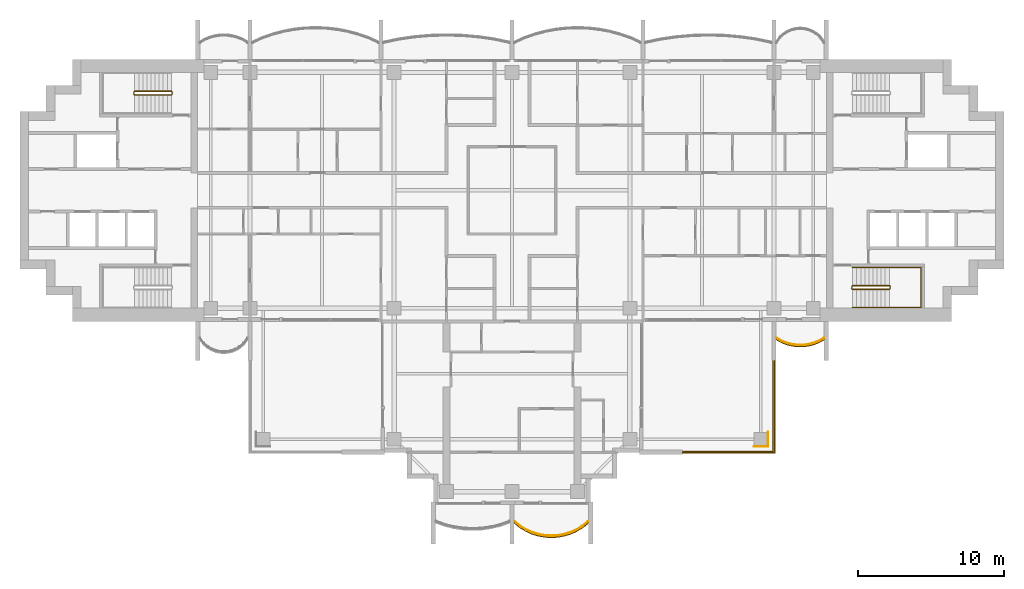
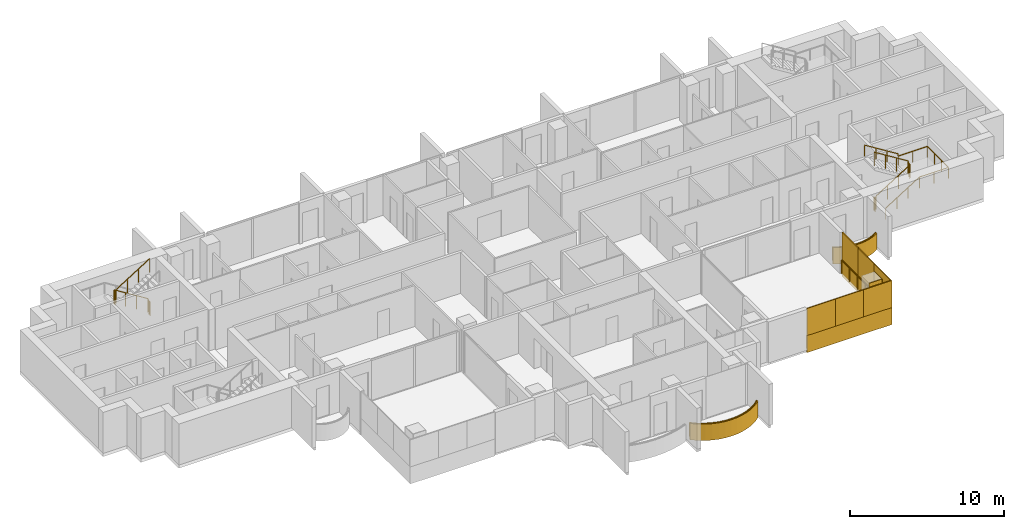
# One storey, part 15 of 17: 11 coverings, 6 railings.
"""IFC4 building model written with IfcOpenShell, lengths in metres."""

from ifc_helpers import new_model, si_unit, direction, frame, origin, origin_2d, place, context, subcontext, project, spatial, polyline, rectangle, outline, extrude, material, layer, layer_set, type_object, element, save


model = new_model("IFC4")

# Units and contexts
model_context = context("Model", 3, precision=1e-05, world=origin(), true_north=direction((0.0, 1.0)))
body_context = subcontext(model_context, "Body", "Model", "MODEL_VIEW")
ifc_project = project(units=[si_unit("LENGTHUNIT", "METRE"), si_unit("AREAUNIT", "SQUARE_METRE"), si_unit("VOLUMEUNIT", "CUBIC_METRE"), si_unit("PLANEANGLEUNIT", "RADIAN"), si_unit("MASSUNIT", "GRAM", prefix="KILO")], contexts=[model_context])

# Site, building, storey
site_placement = place(None, origin())
site = spatial("IfcSite", under=ifc_project, at=site_placement, CompositionType="ELEMENT")
building_placement = place(site_placement, origin())
building = spatial("IfcBuilding", under=site, at=building_placement, Name="Perihelion Cross Residences", CompositionType="ELEMENT")
storey_placement = place(building_placement, frame((0.0, 0.0, 184.10009765625)))
storey = spatial("IfcBuildingStorey", under=building, at=storey_placement, Name="L45", CompositionType="ELEMENT", Elevation=184.10009765625)

# Coverings
ifc_material_1 = material(Name="Bronze anodised aluminium", Category="aluminium")
ifc_layer_1 = layer(ifc_material_1, 0.070068359375)
ifc_layer_set_1 = layer_set([ifc_layer_1], Name="Balcony fascia 1300")
covering_type_1 = type_object("IfcCoveringType", Name="Balcony fascia 1300", PredefinedType="CLADDING", material=ifc_layer_set_1)
covering_1_placement = place(storey_placement, frame((0.0, 0.0, -0.2001953125)))
element("IfcCovering", 1, at=covering_1_placement, inside=storey, type_object=covering_type_1, Name="Fascia BF1 L45 south tip south bay 2", PredefinedType="CLADDING", context=body_context, shape_type="SweptSolid", body=[
    extrude(outline(polyline([(0.53515625, -23.197509765625), (0.96826171875, -23.455078125), (1.401123046875, -23.642578125), (1.833984375, -23.7705078125), (2.26708984375, -23.845458984375), (2.699951171875, -23.8701171875), (3.133056640625, -23.845458984375), (3.56591796875, -23.7705078125), (3.998779296875, -23.642578125), (4.431884765625, -23.455078125), (4.86474609375, -23.197509765625), (5.25, -22.8896484375), (5.25, -22.800048828125), (4.824951171875, -23.14013671875), (4.39990234375, -23.392578125), (3.97509765625, -23.57666015625), (3.550048828125, -23.702392578125), (3.125, -23.77587890625), (2.699951171875, -23.800048828125), (2.27490234375, -23.77587890625), (1.85009765625, -23.702392578125), (1.425048828125, -23.57666015625), (1.0, -23.392578125), (0.574951171875, -23.14013671875), (0.14990234375, -22.800048828125), (0.14990234375, -22.8896484375), (0.53515625, -23.197509765625)])), origin(), (0.0, 0.0, 1.0), 1.300048828125),
])
covering_2_placement = place(storey_placement, frame((0.0, 0.0, -0.2001953125)))
element("IfcCovering", 2, at=covering_2_placement, inside=storey, type_object=covering_type_1, Name="Fascia BF1 L45 east side south bay 2", PredefinedType="CLADDING", context=body_context, shape_type="SweptSolid", body=[
    extrude(outline(polyline([(18.486328125, -10.4716796875), (18.861572265625, -10.62158203125), (19.237060546875, -10.717529296875), (19.6123046875, -10.76416015625), (19.987548828125, -10.76416015625), (20.363037109375, -10.717529296875), (20.73828125, -10.62158203125), (21.11376953125, -10.4716796875), (21.449951171875, -10.280517578125), (21.449951171875, -10.199951171875), (21.083251953125, -10.40869140625), (20.716552734375, -10.55517578125), (20.35009765625, -10.648681640625), (19.9833984375, -10.6943359375), (19.61669921875, -10.6943359375), (19.25, -10.648681640625), (18.88330078125, -10.55517578125), (18.5166015625, -10.40869140625), (18.14990234375, -10.199951171875), (18.14990234375, -10.280517578125), (18.486328125, -10.4716796875)])), origin(), (0.0, 0.0, 1.0), 1.300048828125),
])

# Railings
ifc_material_2 = material(Name="Bronze anodised aluminium", Category="aluminium")
railing_type_1 = type_object("IfcRailingType", Name="Balcony guard 1100", PredefinedType="GUARDRAIL", material=ifc_material_2)
railing_1_placement = place(storey_placement, frame((0.175048828125, -22.739990234375, 0.0)))
element("IfcRailing", 3, at=railing_1_placement, inside=storey, type_object=railing_type_1, Name="Guard GU1 L45 south tip south bay 2 balcony", PredefinedType="GUARDRAIL", context=body_context, shape_type="SweptSolid", body=[
    extrude(rectangle(XDim=0.048095703125, YDim=0.048095703125, at=origin_2d()), frame((0.0, 0.0, 1.076171875), z_axis=(0.761778647315, -0.647837396648, 0.0), x_axis=(0.647837396648, 0.761778647315, 0.0)), (0.0, 0.0, 1.0), 0.52490234375),
    extrude(rectangle(XDim=0.048095703125, YDim=0.048095703125, at=origin_2d()), frame((0.39990234375, -0.340087890625, 1.076171875), z_axis=(0.859576918062, -0.511006381501, 0.0), x_axis=(0.511006381501, 0.859576918062, 0.0)), (0.0, 0.0, 1.0), 0.494384765625),
    extrude(rectangle(XDim=0.048095703125, YDim=0.048095703125, at=origin_2d()), frame((0.824951171875, -0.5927734375, 1.076171875), z_axis=(0.917831080218, -0.396971167952, 0.0), x_axis=(0.396971167952, 0.917831080218, 0.0)), (0.0, 0.0, 1.0), 0.463134765625),
    extrude(rectangle(XDim=0.048095703125, YDim=0.048095703125, at=origin_2d()), frame((1.25, -0.776611328125, 1.076171875), z_axis=(0.958925815697, -0.283656975924, 0.0), x_axis=(0.283656975924, 0.958925815697, 0.0)), (0.0, 0.0, 1.0), 0.443359375),
    extrude(rectangle(XDim=0.048095703125, YDim=0.048095703125, at=origin_2d()), frame((1.675048828125, -0.90234375, 1.076171875), z_axis=(0.985365142702, -0.170456843651, 0.0), x_axis=(0.170456843651, 0.985365142702, 0.0)), (0.0, 0.0, 1.0), 0.43115234375),
    extrude(rectangle(XDim=0.048095703125, YDim=0.048095703125, at=origin_2d()), frame((2.099853515625, -0.975830078125, 1.076171875), z_axis=(0.998387160354, -0.056772159032, 0.0), x_axis=(0.056772159032, 0.998387160354, 0.0)), (0.0, 0.0, 1.0), 0.42578125),
    extrude(rectangle(XDim=0.048095703125, YDim=0.048095703125, at=origin_2d()), frame((2.52490234375, -1.0, 1.076171875), z_axis=(0.998387160354, 0.056772159032, 0.0), x_axis=(-0.056772159032, 0.998387160354, 0.0)), (0.0, 0.0, 1.0), 0.42578125),
    extrude(rectangle(XDim=0.048095703125, YDim=0.048095703125, at=origin_2d()), frame((2.949951171875, -0.975830078125, 1.076171875), z_axis=(0.985381583142, 0.17036177859, 0.0), x_axis=(-0.17036177859, 0.985381583142, 0.0)), (0.0, 0.0, 1.0), 0.431396484375),
    extrude(rectangle(XDim=0.048095703125, YDim=0.048095703125, at=origin_2d()), frame((3.375, -0.90234375, 1.076171875), z_axis=(0.958925815697, 0.283656975924, 0.0), x_axis=(-0.283656975924, 0.958925815697, 0.0)), (0.0, 0.0, 1.0), 0.443359375),
    extrude(rectangle(XDim=0.048095703125, YDim=0.048095703125, at=origin_2d()), frame((3.800048828125, -0.776611328125, 1.076171875), z_axis=(0.917747942671, 0.397163333811, 0.0), x_axis=(-0.397163333811, 0.917747942671, 0.0)), (0.0, 0.0, 1.0), 0.462890625),
    extrude(rectangle(XDim=0.048095703125, YDim=0.048095703125, at=origin_2d()), frame((4.224853515625, -0.5927734375, 1.076171875), z_axis=(0.859576918062, 0.511006381501, 0.0), x_axis=(-0.511006381501, 0.859576918062, 0.0)), (0.0, 0.0, 1.0), 0.494384765625),
    extrude(rectangle(XDim=0.048095703125, YDim=0.048095703125, at=origin_2d()), frame((4.64990234375, -0.340087890625, 1.076171875), z_axis=(0.761973728849, 0.647607934281, 0.0), x_axis=(-0.647607934281, 0.761973728849, 0.0)), (0.0, 0.0, 1.0), 0.525146484375),
    extrude(rectangle(XDim=0.0419921875, YDim=0.0419921875, at=origin_2d()), origin(), (0.0, 0.0, 1.0), 1.052001953125),
    extrude(rectangle(XDim=0.0419921875, YDim=0.0419921875, at=origin_2d()), frame((0.39990234375, -0.340087890625, 0.0)), (0.0, 0.0, 1.0), 1.052001953125),
    extrude(rectangle(XDim=0.0419921875, YDim=0.0419921875, at=origin_2d()), frame((0.824951171875, -0.5927734375, 0.0)), (0.0, 0.0, 1.0), 1.052001953125),
    extrude(rectangle(XDim=0.0419921875, YDim=0.0419921875, at=origin_2d()), frame((1.25, -0.776611328125, 0.0)), (0.0, 0.0, 1.0), 1.052001953125),
    extrude(rectangle(XDim=0.0419921875, YDim=0.0419921875, at=origin_2d()), frame((1.675048828125, -0.90234375, 0.0)), (0.0, 0.0, 1.0), 1.052001953125),
    extrude(rectangle(XDim=0.0419921875, YDim=0.0419921875, at=origin_2d()), frame((2.099853515625, -0.975830078125, 0.0)), (0.0, 0.0, 1.0), 1.052001953125),
    extrude(rectangle(XDim=0.0419921875, YDim=0.0419921875, at=origin_2d()), frame((2.52490234375, -1.0, 0.0)), (0.0, 0.0, 1.0), 1.052001953125),
    extrude(rectangle(XDim=0.0419921875, YDim=0.0419921875, at=origin_2d()), frame((2.949951171875, -0.975830078125, 0.0)), (0.0, 0.0, 1.0), 1.052001953125),
    extrude(rectangle(XDim=0.0419921875, YDim=0.0419921875, at=origin_2d()), frame((3.375, -0.90234375, 0.0)), (0.0, 0.0, 1.0), 1.052001953125),
    extrude(rectangle(XDim=0.0419921875, YDim=0.0419921875, at=origin_2d()), frame((3.800048828125, -0.776611328125, 0.0)), (0.0, 0.0, 1.0), 1.052001953125),
    extrude(rectangle(XDim=0.0419921875, YDim=0.0419921875, at=origin_2d()), frame((4.224853515625, -0.5927734375, 0.0)), (0.0, 0.0, 1.0), 1.052001953125),
    extrude(rectangle(XDim=0.0419921875, YDim=0.0419921875, at=origin_2d()), frame((4.64990234375, -0.340087890625, 0.0)), (0.0, 0.0, 1.0), 1.052001953125),
    extrude(rectangle(XDim=0.0419921875, YDim=0.0419921875, at=origin_2d()), frame((5.050048828125, 0.0, 0.0)), (0.0, 0.0, 1.0), 1.052001953125),
])
railing_2_placement = place(storey_placement, frame((18.175048828125, -10.139892578125, 0.0)))
element("IfcRailing", 4, at=railing_2_placement, inside=storey, type_object=railing_type_1, Name="Guard GU1 L45 east side south bay 2 balcony", PredefinedType="GUARDRAIL", context=body_context, shape_type="SweptSolid", body=[
    extrude(rectangle(XDim=0.048095703125, YDim=0.048095703125, at=origin_2d()), frame((0.0, 0.0, 1.076171875), z_axis=(0.853266756821, -0.52147467983, 0.0), x_axis=(0.52147467983, 0.853266756821, 0.0)), (0.0, 0.0, 1.0), 0.400390625),
    extrude(rectangle(XDim=0.048095703125, YDim=0.048095703125, at=origin_2d()), frame((0.341552734375, -0.208740234375, 1.076171875), z_axis=(0.928647151248, -0.37096424151, 0.0), x_axis=(0.37096424151, 0.928647151248, 0.0)), (0.0, 0.0, 1.0), 0.394775390625),
    extrude(rectangle(XDim=0.048095703125, YDim=0.048095703125, at=origin_2d()), frame((0.708251953125, -0.355224609375, 1.076171875), z_axis=(0.968993337782, -0.247086849781, 0.0), x_axis=(0.247086849781, 0.968993337782, 0.0)), (0.0, 0.0, 1.0), 0.37841796875),
    extrude(rectangle(XDim=0.048095703125, YDim=0.048095703125, at=origin_2d()), frame((1.074951171875, -0.44873046875, 1.076171875), z_axis=(0.992338742457, -0.123546834114, 0.0), x_axis=(0.123546834114, 0.992338742457, 0.0)), (0.0, 0.0, 1.0), 0.36962890625),
    extrude(rectangle(XDim=0.048095703125, YDim=0.048095703125, at=origin_2d()), frame((1.441650390625, -0.494384765625, 1.076171875), z_axis=(1.0, 0.0, 0.0), x_axis=(0.0, 1.0, 0.0)), (0.0, 0.0, 1.0), 0.36669921875),
    extrude(rectangle(XDim=0.048095703125, YDim=0.048095703125, at=origin_2d()), frame((1.808349609375, -0.494384765625, 1.076171875), z_axis=(0.992338742457, 0.123546834114, 0.0), x_axis=(-0.123546834114, 0.992338742457, 0.0)), (0.0, 0.0, 1.0), 0.36962890625),
    extrude(rectangle(XDim=0.048095703125, YDim=0.048095703125, at=origin_2d()), frame((2.175048828125, -0.44873046875, 1.076171875), z_axis=(0.968953914071, 0.247241405123, 0.0), x_axis=(-0.247241405123, 0.968953914071, 0.0)), (0.0, 0.0, 1.0), 0.378173828125),
    extrude(rectangle(XDim=0.048095703125, YDim=0.048095703125, at=origin_2d()), frame((2.54150390625, -0.355224609375, 1.076171875), z_axis=(0.928647151248, 0.37096424151, 0.0), x_axis=(-0.37096424151, 0.928647151248, 0.0)), (0.0, 0.0, 1.0), 0.394775390625),
    extrude(rectangle(XDim=0.048095703125, YDim=0.048095703125, at=origin_2d()), frame((2.908203125, -0.208740234375, 1.076171875), z_axis=(0.853432484338, 0.521203410078, 0.0), x_axis=(-0.521203410078, 0.853432484338, 0.0)), (0.0, 0.0, 1.0), 0.400390625),
    extrude(rectangle(XDim=0.0419921875, YDim=0.0419921875, at=origin_2d()), origin(), (0.0, 0.0, 1.0), 1.052001953125),
    extrude(rectangle(XDim=0.0419921875, YDim=0.0419921875, at=origin_2d()), frame((0.341552734375, -0.208740234375, 0.0)), (0.0, 0.0, 1.0), 1.052001953125),
    extrude(rectangle(XDim=0.0419921875, YDim=0.0419921875, at=origin_2d()), frame((0.708251953125, -0.355224609375, 0.0)), (0.0, 0.0, 1.0), 1.052001953125),
    extrude(rectangle(XDim=0.0419921875, YDim=0.0419921875, at=origin_2d()), frame((1.074951171875, -0.44873046875, 0.0)), (0.0, 0.0, 1.0), 1.052001953125),
    extrude(rectangle(XDim=0.0419921875, YDim=0.0419921875, at=origin_2d()), frame((1.441650390625, -0.494384765625, 0.0)), (0.0, 0.0, 1.0), 1.052001953125),
    extrude(rectangle(XDim=0.0419921875, YDim=0.0419921875, at=origin_2d()), frame((1.808349609375, -0.494384765625, 0.0)), (0.0, 0.0, 1.0), 1.052001953125),
    extrude(rectangle(XDim=0.0419921875, YDim=0.0419921875, at=origin_2d()), frame((2.175048828125, -0.44873046875, 0.0)), (0.0, 0.0, 1.0), 1.052001953125),
    extrude(rectangle(XDim=0.0419921875, YDim=0.0419921875, at=origin_2d()), frame((2.54150390625, -0.355224609375, 0.0)), (0.0, 0.0, 1.0), 1.052001953125),
    extrude(rectangle(XDim=0.0419921875, YDim=0.0419921875, at=origin_2d()), frame((2.908203125, -0.208740234375, 0.0)), (0.0, 0.0, 1.0), 1.052001953125),
    extrude(rectangle(XDim=0.0419921875, YDim=0.0419921875, at=origin_2d()), frame((3.25, 0.0, 0.0)), (0.0, 0.0, 1.0), 1.052001953125),
])
railing_3_placement = place(storey_placement, frame((17.93994140625, -11.739990234375, 0.0)))
element("IfcRailing", 5, at=railing_3_placement, inside=storey, type_object=railing_type_1, Name="Guard GU1 L45 pocket south-east 1", PredefinedType="GUARDRAIL", context=body_context, shape_type="SweptSolid", body=[
    extrude(rectangle(XDim=0.048095703125, YDim=0.048095703125, at=origin_2d()), frame((0.0, 0.0, 1.076171875), z_axis=(0.0, -1.0, 0.0), x_axis=(1.0, 0.0, 0.0)), (0.0, 0.0, 1.0), 6.199951171875),
    extrude(rectangle(XDim=0.048095703125, YDim=0.048095703125, at=origin_2d()), frame((0.0, -6.199951171875, 1.076171875), z_axis=(-1.0, 0.0, 0.0), x_axis=(0.0, -1.0, 0.0)), (0.0, 0.0, 1.0), 6.199951171875),
    extrude(rectangle(XDim=0.0419921875, YDim=0.0419921875, at=origin_2d()), origin(), (0.0, 0.0, 1.0), 1.052001953125),
    extrude(rectangle(XDim=0.0419921875, YDim=0.0419921875, at=origin_2d()), frame((0.0, -1.033203125, 0.0)), (0.0, 0.0, 1.0), 1.052001953125),
    extrude(rectangle(XDim=0.0419921875, YDim=0.0419921875, at=origin_2d()), frame((0.0, -2.066650390625, 0.0)), (0.0, 0.0, 1.0), 1.052001953125),
    extrude(rectangle(XDim=0.0419921875, YDim=0.0419921875, at=origin_2d()), frame((0.0, -3.10009765625, 0.0)), (0.0, 0.0, 1.0), 1.052001953125),
    extrude(rectangle(XDim=0.0419921875, YDim=0.0419921875, at=origin_2d()), frame((0.0, -4.13330078125, 0.0)), (0.0, 0.0, 1.0), 1.052001953125),
    extrude(rectangle(XDim=0.0419921875, YDim=0.0419921875, at=origin_2d()), frame((0.0, -5.16650390625, 0.0)), (0.0, 0.0, 1.0), 1.052001953125),
    extrude(rectangle(XDim=0.0419921875, YDim=0.0419921875, at=origin_2d()), frame((0.0, -6.199951171875, 0.0)), (0.0, 0.0, 1.0), 1.052001953125),
    extrude(rectangle(XDim=0.0419921875, YDim=0.0419921875, at=origin_2d()), frame((-1.033203125, -6.199951171875, 0.0)), (0.0, 0.0, 1.0), 1.052001953125),
    extrude(rectangle(XDim=0.0419921875, YDim=0.0419921875, at=origin_2d()), frame((-2.066650390625, -6.199951171875, 0.0)), (0.0, 0.0, 1.0), 1.052001953125),
    extrude(rectangle(XDim=0.0419921875, YDim=0.0419921875, at=origin_2d()), frame((-3.10009765625, -6.199951171875, 0.0)), (0.0, 0.0, 1.0), 1.052001953125),
    extrude(rectangle(XDim=0.0419921875, YDim=0.0419921875, at=origin_2d()), frame((-4.13330078125, -6.199951171875, 0.0)), (0.0, 0.0, 1.0), 1.052001953125),
    extrude(rectangle(XDim=0.0419921875, YDim=0.0419921875, at=origin_2d()), frame((-5.16650390625, -6.199951171875, 0.0)), (0.0, 0.0, 1.0), 1.052001953125),
    extrude(rectangle(XDim=0.0419921875, YDim=0.0419921875, at=origin_2d()), frame((-6.199951171875, -6.199951171875, 0.0)), (0.0, 0.0, 1.0), 1.052001953125),
])

# Coverings
ifc_material_3 = material(Name="Bronze anodised aluminium", Category="aluminium")
ifc_layer_2 = layer(ifc_material_3, 0.0400390625)
ifc_layer_set_2 = layer_set([ifc_layer_2], Name="Bronze column casing 40")
covering_type_2 = type_object("IfcCoveringType", Name="Bronze column casing 40", PredefinedType="CLADDING", material=ifc_layer_set_2)
covering_3_placement = place(storey_placement, frame((17.594970703125, -17.10009765625, -0.25), z_axis=(0.0, 0.0, 1.0), x_axis=(1.0, 0.0, 0.0)))
element("IfcCovering", 6, at=covering_3_placement, inside=storey, type_object=covering_type_2, Name="Cladding CC1 L45 casing east-west no. 2", PredefinedType="CLADDING", context=body_context, shape_type="SweptSolid", body=[
    extrude(rectangle(XDim=0.0400390625, YDim=1.030029296875, at=origin_2d()), origin(), (0.0, 0.0, 1.0), 3.5),
])
covering_4_placement = place(storey_placement, frame((17.10009765625, -17.594970703125, -0.25), z_axis=(0.0, 0.0, 1.0), x_axis=(1.0, 0.0, 0.0)))
element("IfcCovering", 7, at=covering_4_placement, inside=storey, type_object=covering_type_2, Name="Cladding CC1 L45 casing north-south no. 2", PredefinedType="CLADDING", context=body_context, shape_type="SweptSolid", body=[
    extrude(rectangle(XDim=0.949951171875, YDim=0.0400390625, at=origin_2d()), origin(), (0.0, 0.0, 1.0), 3.5),
])
ifc_material_4 = material(Name="Bronze anodised aluminium", Category="aluminium")
ifc_layer_3 = layer(ifc_material_4, 0.070068359375)
ifc_layer_set_3 = layer_set([ifc_layer_3], Name="Pocket fascia 1350")
covering_type_3 = type_object("IfcCoveringType", Name="Pocket fascia 1350", PredefinedType="CLADDING", material=ifc_layer_set_3)
covering_5_placement = place(storey_placement, frame((0.0, 0.0, -0.25)))
element("IfcCovering", 8, at=covering_5_placement, inside=storey, type_object=covering_type_3, Name="Fascia BF2 L45 pocket south-east 3", PredefinedType="CLADDING", context=body_context, shape_type="SweptSolid", body=[
    extrude(outline(polyline([(18.070068359375, -18.070068359375), (18.070068359375, -11.699951171875), (18.0, -11.699951171875), (18.0, -18.0), (11.699951171875, -18.0), (11.699951171875, -18.070068359375), (18.070068359375, -18.070068359375)])), origin(), (0.0, 0.0, 1.0), 1.349853515625),
])
ifc_material_5 = material(Name="Bronze perforated aluminium", Category="aluminium")
ifc_layer_4 = layer(ifc_material_5, 0.070068359375)
ifc_layer_set_4 = layer_set([ifc_layer_4], Name="Pocket solar screen, bronze perforated")
covering_type_4 = type_object("IfcCoveringType", Name="Pocket solar screen, bronze perforated", PredefinedType="CLADDING", material=ifc_layer_set_4)
covering_6_placement = place(storey_placement, frame((0.0, 0.0, 1.099853515625)))
element("IfcCovering", 9, at=covering_6_placement, inside=storey, type_object=covering_type_4, Name="Solar screen PS1 L45 pocket south-east no. 1", PredefinedType="CLADDING", context=body_context, shape_type="SweptSolid", body=[
    extrude(outline(polyline([(18.070068359375, -18.0), (18.070068359375, -15.89990234375), (18.0, -15.89990234375), (18.0, -18.0), (18.070068359375, -18.0)])), origin(), (0.0, 0.0, 1.0), 2.150146484375),
])
covering_7_placement = place(storey_placement, frame((0.0, 0.0, 1.099853515625)))
element("IfcCovering", 10, at=covering_7_placement, inside=storey, type_object=covering_type_4, Name="Solar screen PS1 L45 pocket south-east no. 2", PredefinedType="CLADDING", context=body_context, shape_type="SweptSolid", body=[
    extrude(outline(polyline([(18.070068359375, -15.89990234375), (18.070068359375, -13.800048828125), (18.0, -13.800048828125), (18.0, -15.89990234375), (18.070068359375, -15.89990234375)])), origin(), (0.0, 0.0, 1.0), 2.150146484375),
])
covering_8_placement = place(storey_placement, frame((0.0, 0.0, 1.099853515625)))
element("IfcCovering", 11, at=covering_8_placement, inside=storey, type_object=covering_type_4, Name="Solar screen PS1 L45 pocket south-east no. 3", PredefinedType="CLADDING", context=body_context, shape_type="SweptSolid", body=[
    extrude(outline(polyline([(18.070068359375, -13.800048828125), (18.070068359375, -11.699951171875), (18.0, -11.699951171875), (18.0, -13.800048828125), (18.070068359375, -13.800048828125)])), origin(), (0.0, 0.0, 1.0), 2.150146484375),
])
covering_9_placement = place(storey_placement, frame((0.0, 0.0, 1.099853515625)))
element("IfcCovering", 12, at=covering_9_placement, inside=storey, type_object=covering_type_4, Name="Solar screen PS1 L45 pocket south-east no. 4", PredefinedType="CLADDING", context=body_context, shape_type="SweptSolid", body=[
    extrude(outline(polyline([(13.8232421875, -18.070068359375), (13.8232421875, -18.0), (11.699951171875, -18.0), (11.699951171875, -18.070068359375), (13.8232421875, -18.070068359375)])), origin(), (0.0, 0.0, 1.0), 2.150146484375),
])
covering_10_placement = place(storey_placement, frame((0.0, 0.0, 1.099853515625)))
element("IfcCovering", 13, at=covering_10_placement, inside=storey, type_object=covering_type_4, Name="Solar screen PS1 L45 pocket south-east no. 5", PredefinedType="CLADDING", context=body_context, shape_type="SweptSolid", body=[
    extrude(outline(polyline([(15.94677734375, -18.070068359375), (15.94677734375, -18.0), (13.8232421875, -18.0), (13.8232421875, -18.070068359375), (15.94677734375, -18.070068359375)])), origin(), (0.0, 0.0, 1.0), 2.150146484375),
])
covering_11_placement = place(storey_placement, frame((0.0, 0.0, 1.099853515625)))
element("IfcCovering", 14, at=covering_11_placement, inside=storey, type_object=covering_type_4, Name="Solar screen PS1 L45 pocket south-east no. 6", PredefinedType="CLADDING", context=body_context, shape_type="SweptSolid", body=[
    extrude(outline(polyline([(18.070068359375, -18.070068359375), (18.070068359375, -18.0), (15.94677734375, -18.0), (15.94677734375, -18.070068359375), (18.070068359375, -18.070068359375)])), origin(), (0.0, 0.0, 1.0), 2.150146484375),
])

# Railings
ifc_material_6 = material(Name="Stainless steel", Category="steel")
railing_type_2 = type_object("IfcRailingType", Name="Stair guard 1100", PredefinedType="GUARDRAIL", material=ifc_material_6)
railing_4_placement = place(storey_placement, frame((23.35009765625, -6.60009765625, 0.0)))
element("IfcRailing", 15, at=railing_4_placement, inside=storey, type_object=railing_type_2, Name="L45 ST-E2 stair guard 1", PredefinedType="GUARDRAIL", context=body_context, shape_type="SweptSolid", body=[
    extrude(rectangle(XDim=0.048095703125, YDim=0.048095703125, at=origin_2d()), frame((0.0, 0.0, 1.076171875), z_axis=(0.0, -1.0, 0.0), x_axis=(1.0, 0.0, 0.0)), (0.0, 0.0, 1.0), 0.14990234375),
    extrude(rectangle(XDim=0.048095703125, YDim=0.048095703125, at=origin_2d()), frame((0.0, -0.14990234375, 1.076171875), z_axis=(0.264179342666, -0.265474339444, 0.927217692888), x_axis=(0.708833529934, 0.705375805398, 0.0)), (0.0, 0.0, 1.0), 0.1884765625),
    extrude(rectangle(XDim=0.048095703125, YDim=0.048095703125, at=origin_2d()), frame((0.0498046875, -0.199951171875, 1.2509765625), z_axis=(0.847970611238, 0.0, 0.530043245855), x_axis=(0.0, 1.0, 0.0)), (0.0, 0.0, 1.0), 2.971923828125),
    extrude(rectangle(XDim=0.048095703125, YDim=0.048095703125, at=origin_2d()), frame((2.56982421875, -0.199951171875, 2.826171875), z_axis=(0.707106781187, 0.707106781187, 0.0), x_axis=(-0.707106781187, 0.707106781187, 0.0)), (0.0, 0.0, 1.0), 0.07080078125),
    extrude(rectangle(XDim=0.048095703125, YDim=0.048095703125, at=origin_2d()), frame((2.619873046875, -0.14990234375, 2.826171875), z_axis=(0.0, 1.0, 0.0), x_axis=(-1.0, 0.0, 0.0)), (0.0, 0.0, 1.0), 0.14990234375),
    extrude(rectangle(XDim=0.048095703125, YDim=0.048095703125, at=origin_2d()), frame((2.619873046875, 0.0, 2.826171875), z_axis=(-0.265383341853, 0.265383341853, 0.926899867156), x_axis=(-0.707106781187, -0.707106781187, 0.0)), (0.0, 0.0, 1.0), 0.1884765625),
    extrude(rectangle(XDim=0.048095703125, YDim=0.048095703125, at=origin_2d()), frame((2.56982421875, 0.050048828125, 3.0009765625), z_axis=(-0.847970611238, 0.0, 0.530043245855), x_axis=(0.0, -1.0, 0.0)), (0.0, 0.0, 1.0), 2.971923828125),
    extrude(rectangle(XDim=0.0419921875, YDim=0.0419921875, at=origin_2d()), origin(), (0.0, 0.0, 1.0), 1.052001953125),
    extrude(rectangle(XDim=0.0419921875, YDim=0.0419921875, at=origin_2d()), frame((0.0, -0.14990234375, 0.0)), (0.0, 0.0, 1.0), 1.052001953125),
    extrude(rectangle(XDim=0.0419921875, YDim=0.0419921875, at=origin_2d()), frame((0.0498046875, -0.199951171875, 0.1748046875)), (0.0, 0.0, 1.0), 1.052001953125),
    extrude(rectangle(XDim=0.0419921875, YDim=0.0419921875, at=origin_2d()), frame((0.889892578125, -0.199951171875, 0.699951171875)), (0.0, 0.0, 1.0), 1.052001953125),
    extrude(rectangle(XDim=0.0419921875, YDim=0.0419921875, at=origin_2d()), frame((1.729736328125, -0.199951171875, 1.224853515625)), (0.0, 0.0, 1.0), 1.052001953125),
    extrude(rectangle(XDim=0.0419921875, YDim=0.0419921875, at=origin_2d()), frame((2.56982421875, -0.199951171875, 1.75)), (0.0, 0.0, 1.0), 1.052001953125),
    extrude(rectangle(XDim=0.0419921875, YDim=0.0419921875, at=origin_2d()), frame((2.619873046875, -0.14990234375, 1.75)), (0.0, 0.0, 1.0), 1.052001953125),
    extrude(rectangle(XDim=0.0419921875, YDim=0.0419921875, at=origin_2d()), frame((2.619873046875, 0.0, 1.75)), (0.0, 0.0, 1.0), 1.052001953125),
    extrude(rectangle(XDim=0.0419921875, YDim=0.0419921875, at=origin_2d()), frame((2.56982421875, 0.050048828125, 1.9248046875)), (0.0, 0.0, 1.0), 1.052001953125),
    extrude(rectangle(XDim=0.0419921875, YDim=0.0419921875, at=origin_2d()), frame((1.729736328125, 0.050048828125, 2.449951171875)), (0.0, 0.0, 1.0), 1.052001953125),
    extrude(rectangle(XDim=0.0419921875, YDim=0.0419921875, at=origin_2d()), frame((0.889892578125, 0.050048828125, 2.974853515625)), (0.0, 0.0, 1.0), 1.052001953125),
    extrude(rectangle(XDim=0.0419921875, YDim=0.0419921875, at=origin_2d()), frame((0.0498046875, 0.050048828125, 3.5)), (0.0, 0.0, 1.0), 1.052001953125),
])
railing_5_placement = place(storey_placement, frame((-23.35009765625, 6.60009765625, 0.0)))
element("IfcRailing", 16, at=railing_5_placement, inside=storey, type_object=railing_type_2, Name="L45 ST-W1 stair guard 1", PredefinedType="GUARDRAIL", context=body_context, shape_type="SweptSolid", body=[
    extrude(rectangle(XDim=0.048095703125, YDim=0.048095703125, at=origin_2d()), frame((0.0, 0.0, 1.076171875), z_axis=(0.0, 1.0, 0.0), x_axis=(-1.0, 0.0, 0.0)), (0.0, 0.0, 1.0), 0.14990234375),
    extrude(rectangle(XDim=0.048095703125, YDim=0.048095703125, at=origin_2d()), frame((0.0, 0.14990234375, 1.076171875), z_axis=(-0.264179342666, 0.265474339444, 0.927217692888), x_axis=(-0.708833529934, -0.705375805398, 0.0)), (0.0, 0.0, 1.0), 0.1884765625),
    extrude(rectangle(XDim=0.048095703125, YDim=0.048095703125, at=origin_2d()), frame((-0.0498046875, 0.199951171875, 1.2509765625), z_axis=(-0.847970611238, 0.0, 0.530043245855), x_axis=(0.0, -1.0, 0.0)), (0.0, 0.0, 1.0), 2.971923828125),
    extrude(rectangle(XDim=0.048095703125, YDim=0.048095703125, at=origin_2d()), frame((-2.56982421875, 0.199951171875, 2.826171875), z_axis=(-0.707106781187, -0.707106781187, 0.0), x_axis=(0.707106781187, -0.707106781187, 0.0)), (0.0, 0.0, 1.0), 0.07080078125),
    extrude(rectangle(XDim=0.048095703125, YDim=0.048095703125, at=origin_2d()), frame((-2.619873046875, 0.14990234375, 2.826171875), z_axis=(0.0, -1.0, 0.0), x_axis=(1.0, 0.0, 0.0)), (0.0, 0.0, 1.0), 0.14990234375),
    extrude(rectangle(XDim=0.048095703125, YDim=0.048095703125, at=origin_2d()), frame((-2.619873046875, 0.0, 2.826171875), z_axis=(0.265383341853, -0.265383341853, 0.926899867156), x_axis=(0.707106781187, 0.707106781187, 0.0)), (0.0, 0.0, 1.0), 0.1884765625),
    extrude(rectangle(XDim=0.048095703125, YDim=0.048095703125, at=origin_2d()), frame((-2.56982421875, -0.050048828125, 3.0009765625), z_axis=(0.847970611238, 0.0, 0.530043245855), x_axis=(0.0, 1.0, 0.0)), (0.0, 0.0, 1.0), 2.971923828125),
    extrude(rectangle(XDim=0.0419921875, YDim=0.0419921875, at=origin_2d()), origin(), (0.0, 0.0, 1.0), 1.052001953125),
    extrude(rectangle(XDim=0.0419921875, YDim=0.0419921875, at=origin_2d()), frame((0.0, 0.14990234375, 0.0)), (0.0, 0.0, 1.0), 1.052001953125),
    extrude(rectangle(XDim=0.0419921875, YDim=0.0419921875, at=origin_2d()), frame((-0.0498046875, 0.199951171875, 0.1748046875)), (0.0, 0.0, 1.0), 1.052001953125),
    extrude(rectangle(XDim=0.0419921875, YDim=0.0419921875, at=origin_2d()), frame((-0.889892578125, 0.199951171875, 0.699951171875)), (0.0, 0.0, 1.0), 1.052001953125),
    extrude(rectangle(XDim=0.0419921875, YDim=0.0419921875, at=origin_2d()), frame((-1.729736328125, 0.199951171875, 1.224853515625)), (0.0, 0.0, 1.0), 1.052001953125),
    extrude(rectangle(XDim=0.0419921875, YDim=0.0419921875, at=origin_2d()), frame((-2.56982421875, 0.199951171875, 1.75)), (0.0, 0.0, 1.0), 1.052001953125),
    extrude(rectangle(XDim=0.0419921875, YDim=0.0419921875, at=origin_2d()), frame((-2.619873046875, 0.14990234375, 1.75)), (0.0, 0.0, 1.0), 1.052001953125),
    extrude(rectangle(XDim=0.0419921875, YDim=0.0419921875, at=origin_2d()), frame((-2.619873046875, 0.0, 1.75)), (0.0, 0.0, 1.0), 1.052001953125),
    extrude(rectangle(XDim=0.0419921875, YDim=0.0419921875, at=origin_2d()), frame((-2.56982421875, -0.050048828125, 1.9248046875)), (0.0, 0.0, 1.0), 1.052001953125),
    extrude(rectangle(XDim=0.0419921875, YDim=0.0419921875, at=origin_2d()), frame((-1.729736328125, -0.050048828125, 2.449951171875)), (0.0, 0.0, 1.0), 1.052001953125),
    extrude(rectangle(XDim=0.0419921875, YDim=0.0419921875, at=origin_2d()), frame((-0.889892578125, -0.050048828125, 2.974853515625)), (0.0, 0.0, 1.0), 1.052001953125),
    extrude(rectangle(XDim=0.0419921875, YDim=0.0419921875, at=origin_2d()), frame((-0.0498046875, -0.050048828125, 3.5)), (0.0, 0.0, 1.0), 1.052001953125),
])
ifc_material_7 = material(Name="Stainless steel", Category="steel")
railing_type_3 = type_object("IfcRailingType", Name="Stair handrail 900", PredefinedType="HANDRAIL", material=ifc_material_7)
railing_6_placement = place(storey_placement, frame((23.39990234375, -8.050048828125, 0.1748046875)))
element("IfcRailing", 17, at=railing_6_placement, inside=storey, type_object=railing_type_3, Name="L45 ST-E2 stair handrail 1", PredefinedType="HANDRAIL", context=body_context, shape_type="SweptSolid", body=[
    extrude(rectangle(XDim=0.048095703125, YDim=0.048095703125, at=origin_2d()), frame((0.0, 0.0, 0.8759765625), z_axis=(0.847970611238, 0.0, 0.530043245855), x_axis=(0.0, 1.0, 0.0)), (0.0, 0.0, 1.0), 2.971923828125),
    extrude(rectangle(XDim=0.048095703125, YDim=0.048095703125, at=origin_2d()), frame((2.52001953125, 0.0, 2.451171875), z_axis=(1.0, 0.0, 0.0), x_axis=(0.0, 1.0, 0.0)), (0.0, 0.0, 1.0), 2.18017578125),
    extrude(rectangle(XDim=0.048095703125, YDim=0.048095703125, at=origin_2d()), frame((4.7001953125, 0.0, 2.451171875), z_axis=(0.0, 1.0, 0.0), x_axis=(-1.0, 0.0, 0.0)), (0.0, 0.0, 1.0), 2.75),
    extrude(rectangle(XDim=0.048095703125, YDim=0.048095703125, at=origin_2d()), frame((4.7001953125, 2.75, 2.451171875), z_axis=(-1.0, 0.0, 0.0), x_axis=(0.0, -1.0, 0.0)), (0.0, 0.0, 1.0), 2.18017578125),
    extrude(rectangle(XDim=0.048095703125, YDim=0.048095703125, at=origin_2d()), frame((2.52001953125, 2.75, 2.451171875), z_axis=(0.0, 0.0, 1.0), x_axis=(1.0, 0.0, 0.0)), (0.0, 0.0, 1.0), 0.1748046875),
    extrude(rectangle(XDim=0.048095703125, YDim=0.048095703125, at=origin_2d()), frame((2.52001953125, 2.75, 2.6259765625), z_axis=(-0.847970611238, 0.0, 0.530043245855), x_axis=(0.0, -1.0, 0.0)), (0.0, 0.0, 1.0), 2.971923828125),
    extrude(rectangle(XDim=0.0419921875, YDim=0.0419921875, at=origin_2d()), origin(), (0.0, 0.0, 1.0), 0.851806640625),
    extrude(rectangle(XDim=0.0419921875, YDim=0.0419921875, at=origin_2d()), frame((0.840087890625, 0.0, 0.525146484375)), (0.0, 0.0, 1.0), 0.851806640625),
    extrude(rectangle(XDim=0.0419921875, YDim=0.0419921875, at=origin_2d()), frame((1.679931640625, 0.0, 1.050048828125)), (0.0, 0.0, 1.0), 0.851806640625),
    extrude(rectangle(XDim=0.0419921875, YDim=0.0419921875, at=origin_2d()), frame((2.52001953125, 0.0, 1.5751953125)), (0.0, 0.0, 1.0), 0.851806640625),
    extrude(rectangle(XDim=0.0419921875, YDim=0.0419921875, at=origin_2d()), frame((3.610107421875, 0.0, 1.5751953125)), (0.0, 0.0, 1.0), 0.851806640625),
    extrude(rectangle(XDim=0.0419921875, YDim=0.0419921875, at=origin_2d()), frame((4.7001953125, 0.0, 1.5751953125)), (0.0, 0.0, 1.0), 0.851806640625),
    extrude(rectangle(XDim=0.0419921875, YDim=0.0419921875, at=origin_2d()), frame((4.7001953125, 0.916748046875, 1.5751953125)), (0.0, 0.0, 1.0), 0.851806640625),
    extrude(rectangle(XDim=0.0419921875, YDim=0.0419921875, at=origin_2d()), frame((4.7001953125, 1.833251953125, 1.5751953125)), (0.0, 0.0, 1.0), 0.851806640625),
    extrude(rectangle(XDim=0.0419921875, YDim=0.0419921875, at=origin_2d()), frame((4.7001953125, 2.75, 1.5751953125)), (0.0, 0.0, 1.0), 0.851806640625),
    extrude(rectangle(XDim=0.0419921875, YDim=0.0419921875, at=origin_2d()), frame((3.610107421875, 2.75, 1.5751953125)), (0.0, 0.0, 1.0), 0.851806640625),
    extrude(rectangle(XDim=0.0419921875, YDim=0.0419921875, at=origin_2d()), frame((2.52001953125, 2.75, 1.5751953125)), (0.0, 0.0, 1.0), 0.851806640625),
    extrude(rectangle(XDim=0.0419921875, YDim=0.0419921875, at=origin_2d()), frame((2.52001953125, 2.75, 1.75)), (0.0, 0.0, 1.0), 0.851806640625),
    extrude(rectangle(XDim=0.0419921875, YDim=0.0419921875, at=origin_2d()), frame((1.679931640625, 2.75, 2.275146484375)), (0.0, 0.0, 1.0), 0.851806640625),
    extrude(rectangle(XDim=0.0419921875, YDim=0.0419921875, at=origin_2d()), frame((0.840087890625, 2.75, 2.800048828125)), (0.0, 0.0, 1.0), 0.851806640625),
    extrude(rectangle(XDim=0.0419921875, YDim=0.0419921875, at=origin_2d()), frame((0.0, 2.75, 3.3251953125)), (0.0, 0.0, 1.0), 0.851806640625),
])

save(model, "model.ifc")
